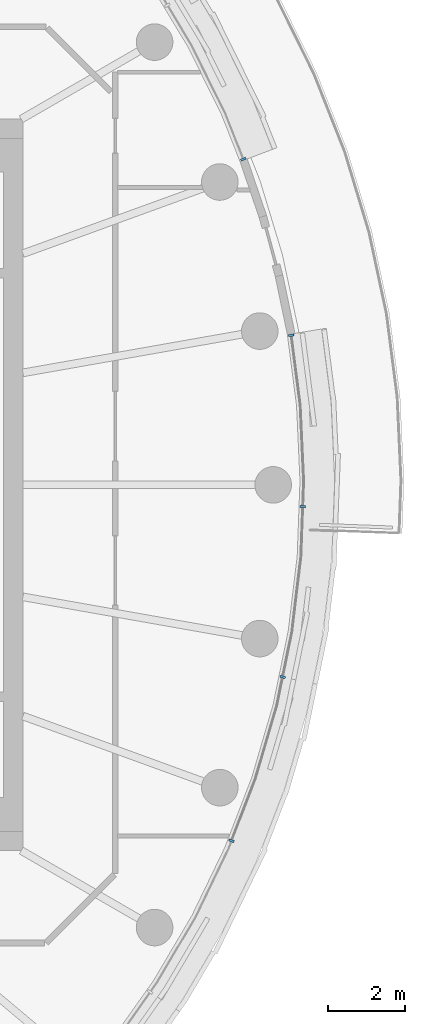
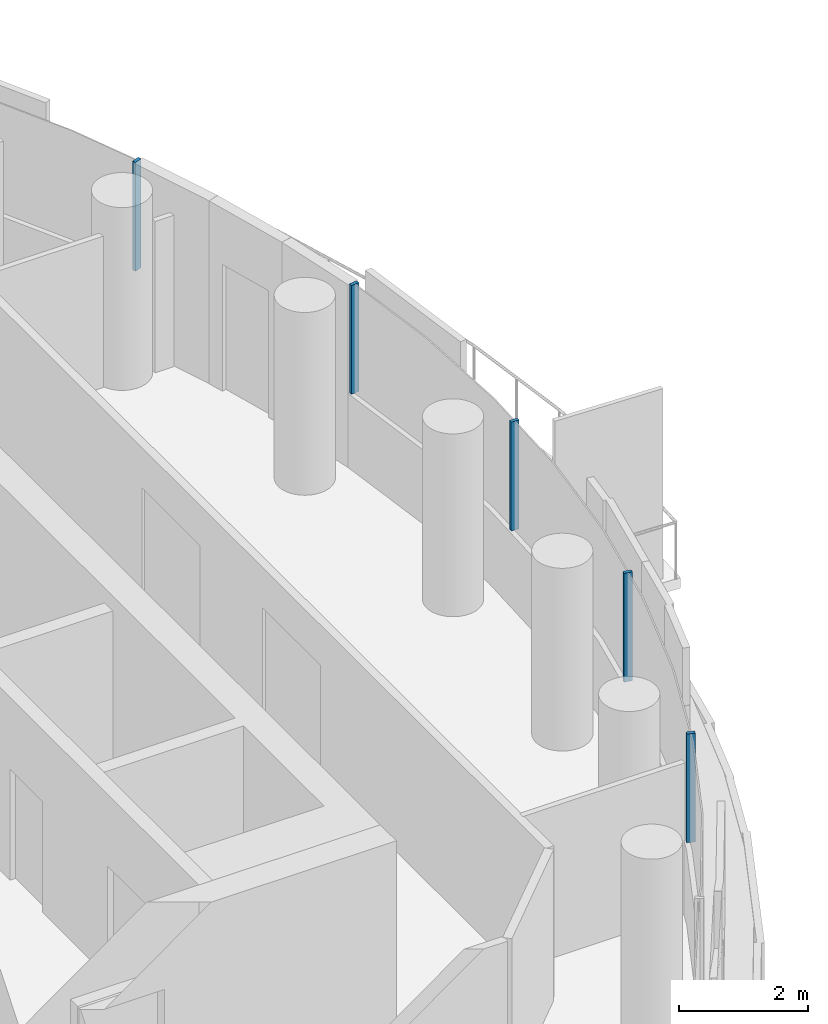
# One storey, part 13 of 31: 5 members, 1 element without a shape of its own.
"""IFC4 building model written with IfcOpenShell, lengths in metres."""

from ifc_helpers import new_model, si_unit, direction, frame, origin, origin_2d, place, context, subcontext, project, spatial, rectangle, extrude, material, layer, layer_set, material_profile, profile_set, type_object, element, aggregate, save


model = new_model("IFC4")

# Units and contexts
model_context = context("Model", 3, precision=1e-05, world=origin(), true_north=direction((0.0, 1.0)))
body_context = subcontext(model_context, "Body", "Model", "MODEL_VIEW")
ifc_project = project(units=[si_unit("LENGTHUNIT", "METRE"), si_unit("AREAUNIT", "SQUARE_METRE"), si_unit("VOLUMEUNIT", "CUBIC_METRE"), si_unit("PLANEANGLEUNIT", "RADIAN"), si_unit("MASSUNIT", "GRAM", prefix="KILO")], contexts=[model_context])

# Site, building, storey
site_placement = place(None, origin())
site = spatial("IfcSite", under=ifc_project, at=site_placement, CompositionType="ELEMENT")
building_placement = place(site_placement, origin())
building = spatial("IfcBuilding", under=site, at=building_placement, Name="Tamarind Cross Interchange Tower", CompositionType="ELEMENT")
storey_placement = place(building_placement, frame((0.0, 0.0, 196.89990234375)))
storey = spatial("IfcBuildingStorey", under=building, at=storey_placement, Name="L49", CompositionType="ELEMENT", Elevation=196.89990234375)

# Curtain wall, members
ifc_material = material(Name="Aluminium 6063-T6", Category="aluminium")
ifc_layer = layer(ifc_material, 0.139892578125)
ifc_layer_set = layer_set([ifc_layer], Name="Aluminium 6063-T6")
curtain_wall_type = type_object("IfcCurtainWallType", Name="Hotel curtain wall, 4.5 m bays", PredefinedType="NOTDEFINED", material=ifc_layer_set)
curtain_wall_placement = place(storey_placement, origin())
curtain_wall = element("IfcCurtainWall", 1, at=curtain_wall_placement, inside=storey, type_object=curtain_wall_type, Name="CWS-L49-02", PredefinedType="NOTDEFINED")
ifc_material_profile = material_profile(ifc_material, rectangle(XDim=0.06005859375, YDim=0.139892578125, at=origin_2d()), Name="Mullion CW2")
ifc_profile_set = profile_set([ifc_material_profile], Name="Aluminium 6063-T6")
member_type = type_object("IfcMemberType", Name="Mullion CW2", PredefinedType="MULLION", material=ifc_profile_set)
member_1_placement = place(storey_placement, frame((21.91650390625, -9.24658203125, 1.400146484375), z_axis=(0.0, 0.0, 1.0), x_axis=(0.359495435512, 0.933146843667, 0.0)))
member_1 = element("IfcMember", 2, at=member_1_placement, type_object=member_type, Name="CWM-L49-02-04", PredefinedType="MULLION", context=body_context, shape_type="SweptSolid", body=[
    extrude(rectangle(XDim=0.06005859375, YDim=0.139892578125, at=origin_2d()), origin(), (0.0, 0.0, 1.0), 2.06005859375),
])
member_2_placement = place(storey_placement, frame((23.246826171875, -4.990234375, 1.400146484375), z_axis=(0.0, 0.0, 1.0), x_axis=(0.201001463943, 0.9795909409, 0.0)))
member_2 = element("IfcMember", 3, at=member_2_placement, type_object=member_type, Name="CWM-L49-02-05", PredefinedType="MULLION", context=body_context, shape_type="SweptSolid", body=[
    extrude(rectangle(XDim=0.06005859375, YDim=0.139892578125, at=origin_2d()), origin(), (0.0, 0.0, 1.0), 2.06005859375),
])
member_3_placement = place(storey_placement, frame((23.77099609375, -0.5625, 1.400146484375), z_axis=(0.0, 0.0, 1.0), x_axis=(0.037024696392, 0.999314350871, 0.0)))
member_3 = element("IfcMember", 4, at=member_3_placement, type_object=member_type, Name="CWM-L49-02-06", PredefinedType="MULLION", context=body_context, shape_type="SweptSolid", body=[
    extrude(rectangle(XDim=0.06005859375, YDim=0.139892578125, at=origin_2d()), origin(), (0.0, 0.0, 1.0), 2.06005859375),
])
member_4_placement = place(storey_placement, frame((23.470947265625, 3.886962890625, 1.400146484375), z_axis=(0.0, 0.0, 1.0), x_axis=(-0.127962008342, 0.991779070368, 0.0)))
member_4 = element("IfcMember", 5, at=member_4_placement, type_object=member_type, Name="CWM-L49-02-07", PredefinedType="MULLION", context=body_context, shape_type="SweptSolid", body=[
    extrude(rectangle(XDim=0.06005859375, YDim=0.139892578125, at=origin_2d()), origin(), (0.0, 0.0, 1.0), 2.06005859375),
])
member_5_placement = place(storey_placement, frame((22.2216796875, 8.459228515625, 1.400146484375), z_axis=(0.0, 0.0, 1.0), x_axis=(-0.367513773146, 0.930018078613, 0.0)))
member_5 = element("IfcMember", 6, at=member_5_placement, type_object=member_type, Name="CWM-L49-02-08", PredefinedType="MULLION", context=body_context, shape_type="SweptSolid", body=[
    extrude(rectangle(XDim=0.06005859375, YDim=0.139892578125, at=origin_2d()), origin(), (0.0, 0.0, 1.0), 2.06005859375),
])
aggregate(curtain_wall, [member_1, member_2, member_3, member_4, member_5])

save(model, "model.ifc")
